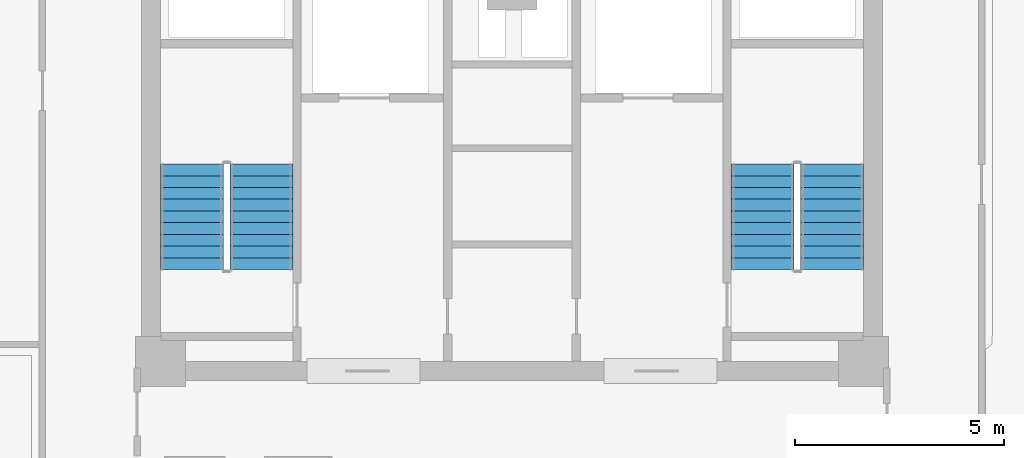
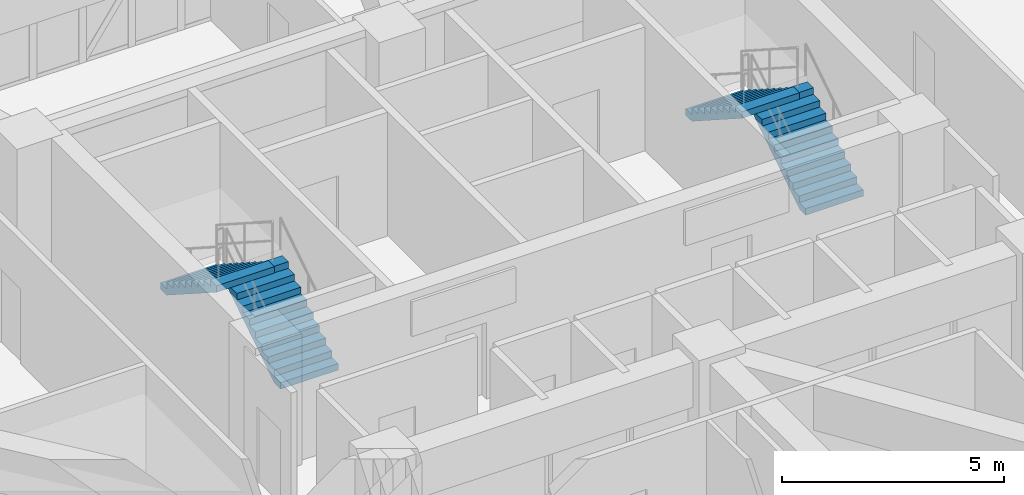
# One storey, part 14 of 16: 4 stair flights, 2 elements without a shape of their own.
"""IFC4 building model written with IfcOpenShell, lengths in metres."""

from ifc_helpers import new_model, si_unit, derived_unit, direction, frame, origin, place, context, subcontext, project, spatial, polyline, outline, extrude, material, type_object, element, aggregate, save


model = new_model("IFC4")

# Units and contexts
model_context = context("Model", 3, precision=1e-05, world=origin(), true_north=direction((0.0, 1.0)))
body_context = subcontext(model_context, "Body", "Model", "MODEL_VIEW")
ifc_project = project(units=[si_unit("LENGTHUNIT", "METRE"), si_unit("AREAUNIT", "SQUARE_METRE"), si_unit("VOLUMEUNIT", "CUBIC_METRE"), si_unit("PLANEANGLEUNIT", "RADIAN"), si_unit("MASSUNIT", "GRAM", prefix="KILO"), derived_unit("THERMALTRANSMITTANCEUNIT", [(si_unit("POWERUNIT", "WATT"), 1), (si_unit("LENGTHUNIT", "METRE"), -2), (si_unit("THERMODYNAMICTEMPERATUREUNIT", "KELVIN"), -1)])], contexts=[model_context])

# Site, building, storey
site_placement = place(None, origin())
site = spatial("IfcSite", under=ifc_project, at=site_placement, CompositionType="ELEMENT")
building_placement = place(site_placement, origin())
building = spatial("IfcBuilding", under=site, at=building_placement, Name="Korsvarv Bourse and Concert Hall", CompositionType="ELEMENT")
storey_placement = place(building_placement, frame((0.0, 0.0, 143.39990234375)))
storey = spatial("IfcBuildingStorey", under=building, at=storey_placement, Name="L36", CompositionType="ELEMENT", Elevation=143.39990234375)

# Stair, stair flights
ifc_material = material(Name="Precast concrete C45/55", Category="concrete")
stair_type = type_object("IfcStairType", Name="STR-TYPE-04", PredefinedType="HALF_TURN_STAIR", material=ifc_material)
stair_1_placement = place(storey_placement, origin())
stair_1 = element("IfcStair", 1, at=stair_1_placement, inside=storey, type_object=stair_type, Name="L36 Tower West Exit Stair ST-T1", PredefinedType="HALF_TURN_STAIR")
stair_flight_type = type_object("IfcStairFlightType", Name="FLT-TYPE-04", PredefinedType="STRAIGHT", material=ifc_material)
stair_flight_1_placement = place(storey_placement, frame((30.010009765625, 40.0, 0.0), z_axis=(0.0, 0.0, 1.0), x_axis=(0.0, 1.0, 0.0)))
stair_flight_1 = element("IfcStairFlight", 2, at=stair_flight_1_placement, type_object=stair_flight_type, Name="ST-T1 flight 1", NumberOfRisers=10, NumberOfTreads=9, PredefinedType="STRAIGHT", RiserHeight=0.18, TreadLength=0.28, context=body_context, shape_type="SweptSolid", body=[
    extrude(outline(polyline([(0.0, 0.0), (0.0, 0.179931640625), (0.280029296875, 0.179931640625), (0.280029296875, 0.360107421875), (0.56005859375, 0.360107421875), (0.56005859375, 0.5400390625), (0.840087890625, 0.5400390625), (0.840087890625, 0.719970703125), (1.1201171875, 0.719970703125), (1.1201171875, 0.89990234375), (1.39990234375, 0.89990234375), (1.39990234375, 1.080078125), (1.679931640625, 1.080078125), (1.679931640625, 1.260009765625), (1.9599609375, 1.260009765625), (1.9599609375, 1.43994140625), (2.239990234375, 1.43994140625), (2.239990234375, 1.6201171875), (2.52001953125, 1.6201171875), (2.52001953125, 1.800048828125), (2.52001953125, 1.44189453125), (0.277099609375, 0.0), (0.0, 0.0)])), frame((0.0, 0.75, 0.0), z_axis=(0.0, -1.0, 0.0), x_axis=(1.0, 0.0, 0.0)), (0.0, 0.0, 1.0), 1.5),
])
stair_flight_2_placement = place(storey_placement, frame((28.35009765625, 42.52001953125, 1.800048828125), z_axis=(0.0, 0.0, 1.0), x_axis=(0.0, -1.0, 0.0)))
stair_flight_2 = element("IfcStairFlight", 3, at=stair_flight_2_placement, type_object=stair_flight_type, Name="ST-T1 flight 2", NumberOfRisers=10, NumberOfTreads=9, PredefinedType="STRAIGHT", RiserHeight=0.18, TreadLength=0.28, context=body_context, shape_type="SweptSolid", body=[
    extrude(outline(polyline([(0.0, 0.0), (0.0, 0.179931640625), (0.280029296875, 0.179931640625), (0.280029296875, 0.360107421875), (0.56005859375, 0.360107421875), (0.56005859375, 0.5400390625), (0.840087890625, 0.5400390625), (0.840087890625, 0.719970703125), (1.1201171875, 0.719970703125), (1.1201171875, 0.89990234375), (1.39990234375, 0.89990234375), (1.39990234375, 1.080078125), (1.679931640625, 1.080078125), (1.679931640625, 1.260009765625), (1.9599609375, 1.260009765625), (1.9599609375, 1.43994140625), (2.239990234375, 1.43994140625), (2.239990234375, 1.6201171875), (2.52001953125, 1.6201171875), (2.52001953125, 1.800048828125), (2.52001953125, 1.44189453125), (0.277099609375, 0.0), (0.0, 0.0)])), frame((0.0, 0.75, 0.0), z_axis=(0.0, -1.0, 0.0), x_axis=(1.0, 0.0, 0.0)), (0.0, 0.0, 1.0), 1.5),
])
aggregate(stair_1, [stair_flight_1, stair_flight_2])

stair_2_placement = place(storey_placement, origin())
stair_2 = element("IfcStair", 4, at=stair_2_placement, inside=storey, type_object=stair_type, Name="L36 Tower East Exit Stair ST-T2", PredefinedType="HALF_TURN_STAIR")
stair_flight_3_placement = place(storey_placement, frame((43.64990234375, 40.0, 0.0), z_axis=(0.0, 0.0, 1.0), x_axis=(0.0, 1.0, 0.0)))
stair_flight_3 = element("IfcStairFlight", 5, at=stair_flight_3_placement, type_object=stair_flight_type, Name="ST-T2 flight 1", NumberOfRisers=10, NumberOfTreads=9, PredefinedType="STRAIGHT", RiserHeight=0.18, TreadLength=0.28, context=body_context, shape_type="SweptSolid", body=[
    extrude(outline(polyline([(0.0, 0.0), (0.0, 0.179931640625), (0.280029296875, 0.179931640625), (0.280029296875, 0.360107421875), (0.56005859375, 0.360107421875), (0.56005859375, 0.5400390625), (0.840087890625, 0.5400390625), (0.840087890625, 0.719970703125), (1.1201171875, 0.719970703125), (1.1201171875, 0.89990234375), (1.39990234375, 0.89990234375), (1.39990234375, 1.080078125), (1.679931640625, 1.080078125), (1.679931640625, 1.260009765625), (1.9599609375, 1.260009765625), (1.9599609375, 1.43994140625), (2.239990234375, 1.43994140625), (2.239990234375, 1.6201171875), (2.52001953125, 1.6201171875), (2.52001953125, 1.800048828125), (2.52001953125, 1.44189453125), (0.277099609375, 0.0), (0.0, 0.0)])), frame((0.0, 0.75, 0.0), z_axis=(0.0, -1.0, 0.0), x_axis=(1.0, 0.0, 0.0)), (0.0, 0.0, 1.0), 1.5),
])
stair_flight_4_placement = place(storey_placement, frame((41.989990234375, 42.52001953125, 1.800048828125), z_axis=(0.0, 0.0, 1.0), x_axis=(0.0, -1.0, 0.0)))
stair_flight_4 = element("IfcStairFlight", 6, at=stair_flight_4_placement, type_object=stair_flight_type, Name="ST-T2 flight 2", NumberOfRisers=10, NumberOfTreads=9, PredefinedType="STRAIGHT", RiserHeight=0.18, TreadLength=0.28, context=body_context, shape_type="SweptSolid", body=[
    extrude(outline(polyline([(0.0, 0.0), (0.0, 0.179931640625), (0.280029296875, 0.179931640625), (0.280029296875, 0.360107421875), (0.56005859375, 0.360107421875), (0.56005859375, 0.5400390625), (0.840087890625, 0.5400390625), (0.840087890625, 0.719970703125), (1.1201171875, 0.719970703125), (1.1201171875, 0.89990234375), (1.39990234375, 0.89990234375), (1.39990234375, 1.080078125), (1.679931640625, 1.080078125), (1.679931640625, 1.260009765625), (1.9599609375, 1.260009765625), (1.9599609375, 1.43994140625), (2.239990234375, 1.43994140625), (2.239990234375, 1.6201171875), (2.52001953125, 1.6201171875), (2.52001953125, 1.800048828125), (2.52001953125, 1.44189453125), (0.277099609375, 0.0), (0.0, 0.0)])), frame((0.0, 0.75, 0.0), z_axis=(0.0, -1.0, 0.0), x_axis=(1.0, 0.0, 0.0)), (0.0, 0.0, 1.0), 1.5),
])
aggregate(stair_2, [stair_flight_3, stair_flight_4])

save(model, "model.ifc")
